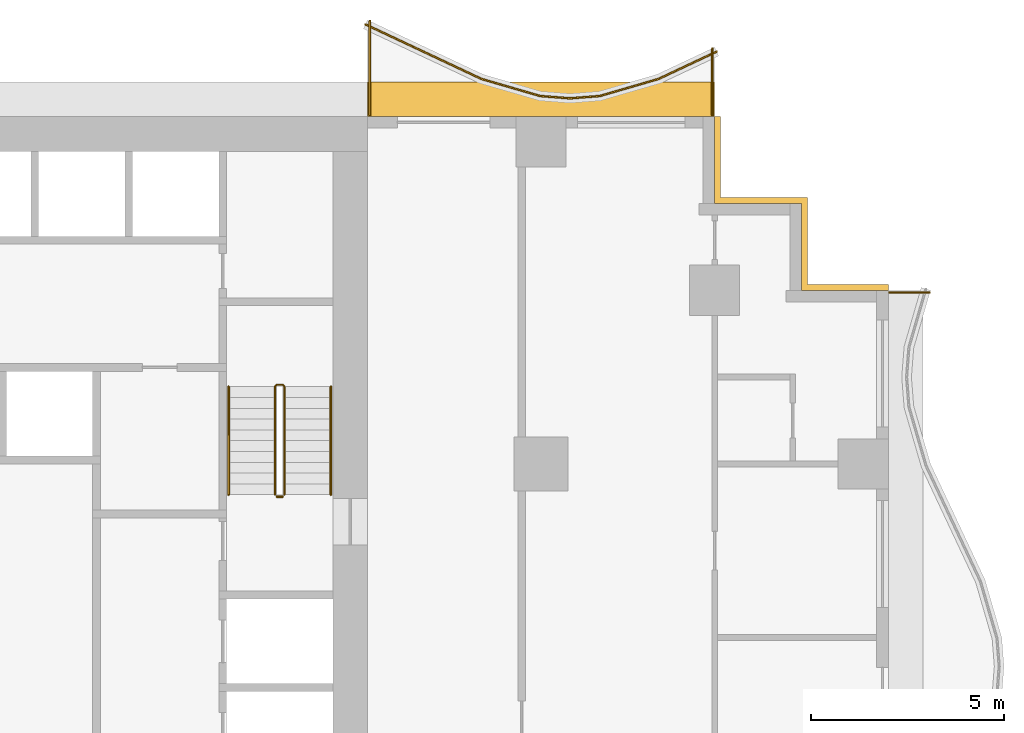
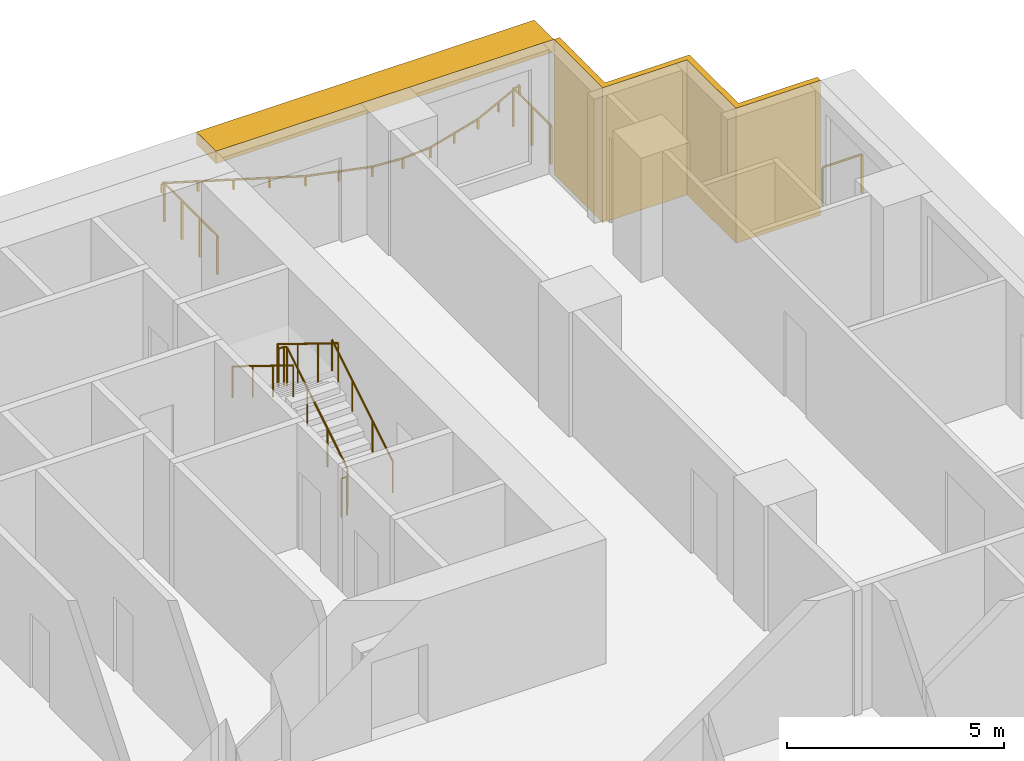
# One storey, part 13 of 13: 8 railings, 2 shading devices.
"""IFC4 building model written with IfcOpenShell, lengths in metres."""

from ifc_helpers import new_model, si_unit, direction, frame, origin, origin_2d, place, context, subcontext, project, spatial, polyline, rectangle, circle, outline, extrude, material, layer, layer_set, type_object, element, save


model = new_model("IFC4")

# Units and contexts
model_context = context("Model", 3, precision=1e-05, world=origin(), true_north=direction((0.0, 1.0)))
body_context = subcontext(model_context, "Body", "Model", "MODEL_VIEW")
ifc_project = project(units=[si_unit("LENGTHUNIT", "METRE"), si_unit("AREAUNIT", "SQUARE_METRE"), si_unit("VOLUMEUNIT", "CUBIC_METRE"), si_unit("PLANEANGLEUNIT", "RADIAN"), si_unit("MASSUNIT", "GRAM", prefix="KILO")], contexts=[model_context])

# Site, building, storey
site_placement = place(None, origin())
site = spatial("IfcSite", under=ifc_project, at=site_placement, CompositionType="ELEMENT")
building_placement = place(site_placement, origin())
building = spatial("IfcBuilding", under=site, at=building_placement, Name="Orbiselva Terraces", CompositionType="ELEMENT")
storey_placement = place(building_placement, frame((0.0, 0.0, 92.2)))
storey = spatial("IfcBuildingStorey", under=building, at=storey_placement, Name="L23", CompositionType="ELEMENT", Elevation=92.2)

# Railings
ifc_material_1 = material(Name="Stainless steel", Category="steel")
railing_type_1 = type_object("IfcRailingType", Name="CORE-GUARD-1100", PredefinedType="GUARDRAIL", material=ifc_material_1)
railing_1_placement = place(storey_placement, frame((11.35, 12.7, 0.172727)))
element("IfcRailing", 1, at=railing_1_placement, inside=storey, type_object=railing_type_1, Name="L23 S2 stair guard 1", PredefinedType="GUARDRAIL", context=body_context, shape_type="SweptSolid", body=[
    extrude(circle(Radius=0.024, at=origin_2d()), frame((0.0, 0.0, 1.081), z_axis=(0.0, 0.851088519012, 0.52502222125), x_axis=(-1.0, 0.0, 0.0)), (0.0, 0.0, 1.0), 3.289905),
    extrude(circle(Radius=0.024, at=origin_2d()), frame((0.0, 2.8, 2.808273), z_axis=(-0.707106781187, 0.707106781187, 0.0), x_axis=(-0.707106781187, -0.707106781187, 0.0)), (0.0, 0.0, 1.0), 0.070711),
    extrude(circle(Radius=0.024, at=origin_2d()), frame((-0.05, 2.85, 2.808273), z_axis=(-1.0, 0.0, 0.0), x_axis=(0.0, -1.0, 0.0)), (0.0, 0.0, 1.0), 0.15),
    extrude(circle(Radius=0.024, at=origin_2d()), frame((-0.2, 2.85, 2.808273), z_axis=(-0.267894925557, -0.267894925557, 0.925453736133), x_axis=(0.707106781187, -0.707106781187, 0.0)), (0.0, 0.0, 1.0), 0.18664),
    extrude(circle(Radius=0.024, at=origin_2d()), frame((-0.25, 2.8, 2.981), z_axis=(0.0, -0.851088519012, 0.52502222125), x_axis=(1.0, 0.0, 0.0)), (0.0, 0.0, 1.0), 3.289905),
    extrude(circle(Radius=0.021, at=origin_2d()), origin(), (0.0, 0.0, 1.0), 1.057),
    extrude(circle(Radius=0.021, at=origin_2d()), frame((0.0, 0.933333, 0.575758)), (0.0, 0.0, 1.0), 1.057),
    extrude(circle(Radius=0.021, at=origin_2d()), frame((0.0, 1.866667, 1.151515)), (0.0, 0.0, 1.0), 1.057),
    extrude(circle(Radius=0.021, at=origin_2d()), frame((0.0, 2.8, 1.727273)), (0.0, 0.0, 1.0), 1.057),
    extrude(circle(Radius=0.021, at=origin_2d()), frame((-0.05, 2.85, 1.727273)), (0.0, 0.0, 1.0), 1.057),
    extrude(circle(Radius=0.021, at=origin_2d()), frame((-0.2, 2.85, 1.727273)), (0.0, 0.0, 1.0), 1.057),
    extrude(circle(Radius=0.021, at=origin_2d()), frame((-0.25, 2.8, 1.9)), (0.0, 0.0, 1.0), 1.057),
    extrude(circle(Radius=0.021, at=origin_2d()), frame((-0.25, 1.866667, 2.475758)), (0.0, 0.0, 1.0), 1.057),
    extrude(circle(Radius=0.021, at=origin_2d()), frame((-0.25, 0.933333, 3.051515)), (0.0, 0.0, 1.0), 1.057),
    extrude(circle(Radius=0.021, at=origin_2d()), frame((-0.25, 0.0, 3.627273)), (0.0, 0.0, 1.0), 1.057),
])
railing_2_placement = place(storey_placement, frame((11.3, 12.65, 0.0)))
element("IfcRailing", 2, at=railing_2_placement, inside=storey, type_object=railing_type_1, Name="L23 S2 stair guard 2", PredefinedType="GUARDRAIL", context=body_context, shape_type="SweptSolid", body=[
    extrude(circle(Radius=0.024, at=origin_2d()), frame((0.0, 0.0, 1.081), z_axis=(-1.0, 0.0, 0.0), x_axis=(0.0, -1.0, 0.0)), (0.0, 0.0, 1.0), 0.15),
    extrude(circle(Radius=0.021, at=origin_2d()), origin(), (0.0, 0.0, 1.0), 1.057),
    extrude(circle(Radius=0.021, at=origin_2d()), frame((-0.15, 0.0, 0.0)), (0.0, 0.0, 1.0), 1.057),
])
railing_type_2 = type_object("IfcRailingType", Name="CORE-HANDRAIL-900", PredefinedType="HANDRAIL", material=ifc_material_1)
railing_3_placement = place(storey_placement, frame((12.55, 12.7, 0.172727)))
element("IfcRailing", 3, at=railing_3_placement, inside=storey, type_object=railing_type_2, Name="L23 S2 stair handrail 1", PredefinedType="HANDRAIL", context=body_context, shape_type="SweptSolid", body=[
    extrude(circle(Radius=0.024, at=origin_2d()), frame((0.0, 0.0, 0.876), z_axis=(0.0, 0.851088519012, 0.52502222125), x_axis=(-1.0, 0.0, 0.0)), (0.0, 0.0, 1.0), 3.289905),
    extrude(circle(Radius=0.021, at=origin_2d()), origin(), (0.0, 0.0, 1.0), 0.852),
    extrude(circle(Radius=0.021, at=origin_2d()), frame((0.0, 0.933333, 0.575758)), (0.0, 0.0, 1.0), 0.852),
    extrude(circle(Radius=0.021, at=origin_2d()), frame((0.0, 1.866667, 1.151515)), (0.0, 0.0, 1.0), 0.852),
    extrude(circle(Radius=0.021, at=origin_2d()), frame((0.0, 2.8, 1.727273)), (0.0, 0.0, 1.0), 0.852),
])
railing_4_placement = place(storey_placement, frame((9.9, 15.5, 2.072727)))
element("IfcRailing", 4, at=railing_4_placement, inside=storey, type_object=railing_type_2, Name="L23 S2 stair handrail 2", PredefinedType="HANDRAIL", context=body_context, shape_type="SweptSolid", body=[
    extrude(circle(Radius=0.024, at=origin_2d()), frame((0.0, 0.0, 0.876), z_axis=(0.0, -0.851088519012, 0.52502222125), x_axis=(1.0, 0.0, 0.0)), (0.0, 0.0, 1.0), 3.289905),
    extrude(circle(Radius=0.021, at=origin_2d()), origin(), (0.0, 0.0, 1.0), 0.852),
    extrude(circle(Radius=0.021, at=origin_2d()), frame((0.0, -0.933333, 0.575758)), (0.0, 0.0, 1.0), 0.852),
    extrude(circle(Radius=0.021, at=origin_2d()), frame((0.0, -1.866667, 1.151515)), (0.0, 0.0, 1.0), 0.852),
    extrude(circle(Radius=0.021, at=origin_2d()), frame((0.0, -2.8, 1.727273)), (0.0, 0.0, 1.0), 0.852),
])
ifc_material_2 = material(Name="Bonded two-ply safety glass balustrade, stainless steel posts", Category="steel")
railing_type_3 = type_object("IfcRailingType", Name="ENV-BALUSTRADE-1200", PredefinedType="BALUSTRADE", material=ifc_material_2)
railing_5_placement = place(storey_placement, frame((22.553191, 24.186882, 0.9)))
element("IfcRailing", 5, at=railing_5_placement, inside=storey, type_object=railing_type_3, Name="Balcony balustrade L23 NE", PredefinedType="BALUSTRADE", context=body_context, shape_type="SweptSolid", body=[
    extrude(outline(polyline([(0.028868, 0.0), (0.014434, 0.025), (-0.014434, 0.025), (-0.028868, 0.0), (-0.014434, -0.025), (0.014434, -0.025), (0.028868, 0.0)])), frame((0.0, 0.0, 0.275), z_axis=(-0.904944157382, -0.425530342069, 0.0), x_axis=(0.425530342069, -0.904944157382, 0.0)), (0.0, 0.0, 1.0), 1.667376),
    extrude(outline(polyline([(0.028868, 0.0), (0.014434, 0.025), (-0.014434, 0.025), (-0.028868, 0.0), (-0.014434, -0.025), (0.014434, -0.025), (0.028868, 0.0)])), frame((-1.508882, -0.709519, 0.275), z_axis=(-0.960270491427, -0.279070928786, 0.0), x_axis=(0.279070928786, -0.960270491427, 0.0)), (0.0, 0.0, 1.0), 1.584712),
    extrude(outline(polyline([(0.028868, 0.0), (0.014434, 0.025), (-0.014434, 0.025), (-0.028868, 0.0), (-0.014434, -0.025), (0.014434, -0.025), (0.028868, 0.0)])), frame((-3.030634, -1.151766, 0.275), z_axis=(-0.996947796737, -0.078071061106, 0.0), x_axis=(0.078071061106, -0.996947796737, 0.0)), (0.0, 0.0, 1.0), 0.774922),
    extrude(outline(polyline([(0.028868, 0.0), (0.014434, 0.025), (-0.014434, 0.025), (-0.028868, 0.0), (-0.014434, -0.025), (0.014434, -0.025), (0.028868, 0.0)])), frame((-3.803191, -1.212265, 0.275), z_axis=(-0.996947796737, 0.078071061106, 0.0), x_axis=(-0.078071061106, -0.996947796737, 0.0)), (0.0, 0.0, 1.0), 0.774922),
    extrude(outline(polyline([(0.028868, 0.0), (0.014434, 0.025), (-0.014434, 0.025), (-0.028868, 0.0), (-0.014434, -0.025), (0.014434, -0.025), (0.028868, 0.0)])), frame((-4.575748, -1.151766, 0.275), z_axis=(-0.960270491427, 0.279070928786, 0.0), x_axis=(-0.279070928786, -0.960270491427, 0.0)), (0.0, 0.0, 1.0), 1.584712),
    extrude(outline(polyline([(0.028868, 0.0), (0.014434, 0.025), (-0.014434, 0.025), (-0.028868, 0.0), (-0.014434, -0.025), (0.014434, -0.025), (0.028868, 0.0)])), frame((-6.0975, -0.709519, 0.275), z_axis=(-0.904944157382, 0.425530342069, 0.0), x_axis=(-0.425530342069, -0.904944157382, 0.0)), (0.0, 0.0, 1.0), 1.667376),
    extrude(outline(polyline([(0.028868, 0.0), (0.014434, 0.025), (-0.014434, 0.025), (-0.028868, 0.0), (-0.014434, -0.025), (0.014434, -0.025), (0.028868, 0.0)])), frame((-7.606382, 0.0, 0.275), z_axis=(-0.904944257823, 0.425530128467, 0.0), x_axis=(-0.425530128467, -0.904944257823, 0.0)), (0.0, 0.0, 1.0), 1.657561),
    extrude(rectangle(XDim=0.05, YDim=0.05, at=origin_2d()), origin(), (0.0, 0.0, 1.0), 0.25),
    extrude(rectangle(XDim=0.05, YDim=0.05, at=origin_2d()), frame((-0.754441, -0.35476, 0.0)), (0.0, 0.0, 1.0), 0.25),
    extrude(rectangle(XDim=0.05, YDim=0.05, at=origin_2d()), frame((-1.508882, -0.709519, 0.0)), (0.0, 0.0, 1.0), 0.25),
    extrude(rectangle(XDim=0.05, YDim=0.05, at=origin_2d()), frame((-2.269758, -0.930643, 0.0)), (0.0, 0.0, 1.0), 0.25),
    extrude(rectangle(XDim=0.05, YDim=0.05, at=origin_2d()), frame((-3.030634, -1.151766, 0.0)), (0.0, 0.0, 1.0), 0.25),
    extrude(rectangle(XDim=0.05, YDim=0.05, at=origin_2d()), frame((-3.803191, -1.212265, 0.0)), (0.0, 0.0, 1.0), 0.25),
    extrude(rectangle(XDim=0.05, YDim=0.05, at=origin_2d()), frame((-4.575748, -1.151766, 0.0)), (0.0, 0.0, 1.0), 0.25),
    extrude(rectangle(XDim=0.05, YDim=0.05, at=origin_2d()), frame((-5.336624, -0.930643, 0.0)), (0.0, 0.0, 1.0), 0.25),
    extrude(rectangle(XDim=0.05, YDim=0.05, at=origin_2d()), frame((-6.0975, -0.709519, 0.0)), (0.0, 0.0, 1.0), 0.25),
    extrude(rectangle(XDim=0.05, YDim=0.05, at=origin_2d()), frame((-6.851941, -0.35476, 0.0)), (0.0, 0.0, 1.0), 0.25),
    extrude(rectangle(XDim=0.05, YDim=0.05, at=origin_2d()), frame((-7.606382, 0.0, 0.0)), (0.0, 0.0, 1.0), 0.25),
    extrude(rectangle(XDim=0.05, YDim=0.05, at=origin_2d()), frame((-8.356382, 0.352671, 0.0)), (0.0, 0.0, 1.0), 0.25),
    extrude(rectangle(XDim=0.05, YDim=0.05, at=origin_2d()), frame((-9.106382, 0.705342, 0.0)), (0.0, 0.0, 1.0), 0.25),
])
ifc_material_3 = material(Name="Stainless steel rail and posts", Category="steel")
railing_type_4 = type_object("IfcRailingType", Name="ENV-GUARD-1105", PredefinedType="BALUSTRADE", material=ifc_material_3)
railing_6_placement = place(storey_placement, frame((28.070484, 17.94, 0.0)))
element("IfcRailing", 6, at=railing_6_placement, inside=storey, type_object=railing_type_4, Name="Balcony end guard L23 E", PredefinedType="BALUSTRADE", context=body_context, shape_type="SweptSolid", body=[
    extrude(outline(polyline([(0.028868, 0.0), (0.014434, 0.025), (-0.014434, 0.025), (-0.028868, 0.0), (-0.014434, -0.025), (0.014434, -0.025), (0.028868, 0.0)])), frame((0.0, 0.0, 1.08), z_axis=(-1.0, 0.0, 0.0), x_axis=(0.0, -1.0, 0.0)), (0.0, 0.0, 1.0), 1.045484),
    extrude(rectangle(XDim=0.05, YDim=0.05, at=origin_2d()), origin(), (0.0, 0.0, 1.0), 1.055),
    extrude(rectangle(XDim=0.05, YDim=0.05, at=origin_2d()), frame((-1.045484, 0.0, 0.0)), (0.0, 0.0, 1.0), 1.055),
])
railing_7_placement = place(storey_placement, frame((22.44, 24.269844, 0.0)))
element("IfcRailing", 7, at=railing_7_placement, inside=storey, type_object=railing_type_4, Name="Balcony end guard L23 NE", PredefinedType="BALUSTRADE", context=body_context, shape_type="SweptSolid", body=[
    extrude(outline(polyline([(0.028868, 0.0), (0.014434, 0.025), (-0.014434, 0.025), (-0.028868, 0.0), (-0.014434, -0.025), (0.014434, -0.025), (0.028868, 0.0)])), frame((0.0, 0.0, 1.08), z_axis=(0.0, -1.0, 0.0), x_axis=(1.0, 0.0, 0.0)), (0.0, 0.0, 1.0), 1.744844),
    extrude(rectangle(XDim=0.05, YDim=0.05, at=origin_2d()), origin(), (0.0, 0.0, 1.0), 1.055),
    extrude(rectangle(XDim=0.05, YDim=0.05, at=origin_2d()), frame((0.0, -0.872422, 0.0)), (0.0, 0.0, 1.0), 1.055),
    extrude(rectangle(XDim=0.05, YDim=0.05, at=origin_2d()), frame((0.0, -1.744844, 0.0)), (0.0, 0.0, 1.0), 1.055),
])
railing_8_placement = place(storey_placement, frame((13.56, 24.980723, 0.0)))
element("IfcRailing", 8, at=railing_8_placement, inside=storey, type_object=railing_type_4, Name="Balcony end guard L23 NE", PredefinedType="BALUSTRADE", context=body_context, shape_type="SweptSolid", body=[
    extrude(outline(polyline([(0.028868, 0.0), (0.014434, 0.025), (-0.014434, 0.025), (-0.028868, 0.0), (-0.014434, -0.025), (0.014434, -0.025), (0.028868, 0.0)])), frame((0.0, 0.0, 1.08), z_axis=(0.0, -1.0, 0.0), x_axis=(1.0, 0.0, 0.0)), (0.0, 0.0, 1.0), 2.455723),
    extrude(rectangle(XDim=0.05, YDim=0.05, at=origin_2d()), origin(), (0.0, 0.0, 1.0), 1.055),
    extrude(rectangle(XDim=0.05, YDim=0.05, at=origin_2d()), frame((0.0, -0.818574, 0.0)), (0.0, 0.0, 1.0), 1.055),
    extrude(rectangle(XDim=0.05, YDim=0.05, at=origin_2d()), frame((0.0, -1.637149, 0.0)), (0.0, 0.0, 1.0), 1.055),
    extrude(rectangle(XDim=0.05, YDim=0.05, at=origin_2d()), frame((0.0, -2.455723, 0.0)), (0.0, 0.0, 1.0), 1.055),
])

# Shading devices
ifc_material_4 = material(Name="Terracotta louvre screen", Category="masonry")
ifc_layer_1 = layer(ifc_material_4, 0.15)
ifc_layer_set_1 = layer_set([ifc_layer_1], Name="Terracotta louvre screen")
shading_device_type_1 = type_object("IfcShadingDeviceType", Name="ENV-SCREEN-150", PredefinedType="USERDEFINED", material=ifc_layer_set_1)
shading_device_1_placement = place(storey_placement, frame((0.0, 0.0, -0.3)))
element("IfcShadingDevice", 9, at=shading_device_1_placement, inside=storey, type_object=shading_device_type_1, Name="Louvre screen L23 NE", ObjectType="SCREEN", PredefinedType="USERDEFINED", context=body_context, shape_type="SweptSolid", body=[
    extrude(outline(polyline([(27.0, 18.15), (24.9, 18.15), (24.9, 20.4), (22.65, 20.4), (22.65, 22.5), (22.5, 22.5), (22.5, 20.25), (24.75, 20.25), (24.75, 18.0), (27.0, 18.0), (27.0, 18.15)])), origin(), (0.0, 0.0, 1.0), 3.8),
])
ifc_material_5 = material(Name="Terracotta baguette sunshade", Category="masonry")
ifc_layer_2 = layer(ifc_material_5, 0.35)
ifc_layer_set_2 = layer_set([ifc_layer_2], Name="Terracotta baguette sunshade")
shading_device_type_2 = type_object("IfcShadingDeviceType", Name="ENV-SUNSHADE-900x350", PredefinedType="USERDEFINED", material=ifc_layer_set_2)
shading_device_2_placement = place(storey_placement, frame((0.0, 0.0, 3.15)))
element("IfcShadingDevice", 10, at=shading_device_2_placement, inside=storey, type_object=shading_device_type_2, Name="Sunshade band L23 NE", ObjectType="SUNSHADE", PredefinedType="USERDEFINED", context=body_context, shape_type="SweptSolid", body=[
    extrude(outline(polyline([(22.5, 23.4), (13.5, 23.4), (13.5, 22.5), (22.5, 22.5), (22.5, 23.4)])), origin(), (0.0, 0.0, 1.0), 0.35),
])

save(model, "model.ifc")
